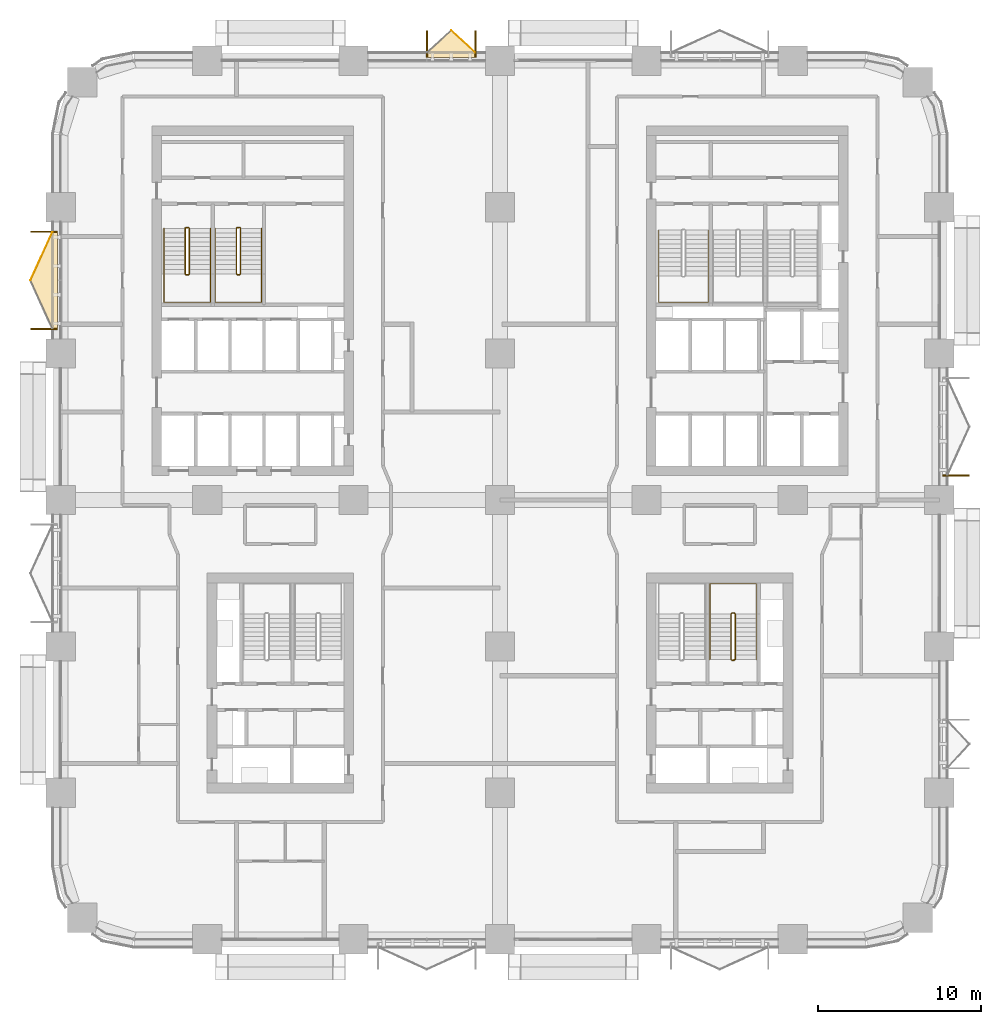
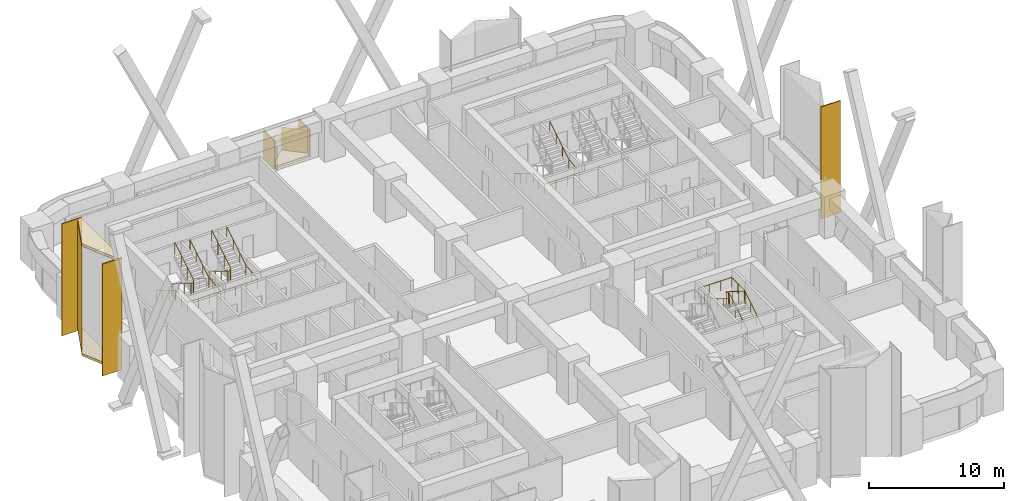
# One storey, part 25 of 26: 11 coverings, 7 railings.
"""IFC4 building model written with IfcOpenShell, lengths in metres."""

from ifc_helpers import new_model, si_unit, direction, frame, origin, origin_2d, place, context, subcontext, project, spatial, polyline, rectangle, circle, outline, extrude, material, layer, layer_set, type_object, element, save


model = new_model("IFC4")

# Units and contexts
model_context = context("Model", 3, precision=1e-05, world=origin(), true_north=direction((0.0, 1.0)))
body_context = subcontext(model_context, "Body", "Model", "MODEL_VIEW")
ifc_project = project(units=[si_unit("LENGTHUNIT", "METRE"), si_unit("AREAUNIT", "SQUARE_METRE"), si_unit("VOLUMEUNIT", "CUBIC_METRE"), si_unit("PLANEANGLEUNIT", "RADIAN"), si_unit("MASSUNIT", "GRAM", prefix="KILO")], contexts=[model_context])

# Site, building, storey
site_placement = place(None, origin())
site = spatial("IfcSite", under=ifc_project, at=site_placement, CompositionType="ELEMENT")
building_placement = place(site_placement, origin())
building = spatial("IfcBuilding", under=site, at=building_placement, Name="Tessera Arch", CompositionType="ELEMENT")
storey_placement = place(building_placement, frame((0.0, 0.0, 31.0)))
storey = spatial("IfcBuildingStorey", under=building, at=storey_placement, Name="L05", CompositionType="ELEMENT", Elevation=31.0)

# Railings
ifc_material_1 = material(Name="Painted steel balustrade", Category="steel")
railing_type_1 = type_object("IfcRailingType", Name="Stair guard 1100", PredefinedType="GUARDRAIL", material=ifc_material_1)
railing_1_placement = place(storey_placement, frame((7.699951171875, 43.75, 0.0)))
element("IfcRailing", 1, at=railing_1_placement, inside=storey, type_object=railing_type_1, Name="L05 S2a stair guard 1", PredefinedType="GUARDRAIL", context=body_context, shape_type="SweptSolid", body=[
    extrude(circle(Radius=0.02392578125, at=origin_2d()), frame((-0.00390625, 0.0, 1.076171875), z_axis=(1.0, 0.0, 0.0), x_axis=(0.0, 1.0, 0.0)), (0.0, 0.0, 1.0), 0.158203125),
    extrude(circle(Radius=0.02392578125, at=origin_2d()), frame((0.153076171875, 0.000732421875, 1.073486328125), z_axis=(-0.744141464035, -0.186035366009, 0.641595140332), x_axis=(0.242535625036, -0.970142500145, 0.0)), (0.0, 0.0, 1.0), 0.277099609375),
    extrude(circle(Radius=0.02392578125, at=origin_2d()), frame((-0.050048828125, -0.046630859375, 1.24658203125), z_axis=(0.0, -0.851089632645, 0.525020415988), x_axis=(1.0, 0.0, 0.0)), (0.0, 0.0, 1.0), 3.2978515625),
    extrude(circle(Radius=0.02392578125, at=origin_2d()), frame((-0.052978515625, -2.84716796875, 2.97607421875), z_axis=(0.708833529934, -0.705375805398, 0.0), x_axis=(0.705375805398, 0.708833529934, 0.0)), (0.0, 0.0, 1.0), 0.07861328125),
    extrude(circle(Radius=0.02392578125, at=origin_2d()), frame((-0.00390625, -2.89990234375, 2.97607421875), z_axis=(1.0, 0.0, 0.0), x_axis=(0.0, 1.0, 0.0)), (0.0, 0.0, 1.0), 0.158203125),
    extrude(circle(Radius=0.02392578125, at=origin_2d()), frame((0.149169921875, -2.90087890625, 2.97216796875), z_axis=(0.266832911964, 0.266832911964, 0.926067165051), x_axis=(-0.707106781187, 0.707106781187, 0.0)), (0.0, 0.0, 1.0), 0.194580078125),
    extrude(circle(Radius=0.02392578125, at=origin_2d()), frame((0.199951171875, -2.853515625, 3.146728515625), z_axis=(0.0, 0.851089632645, 0.525020415988), x_axis=(-1.0, 0.0, 0.0)), (0.0, 0.0, 1.0), 3.2978515625),
    extrude(circle(Radius=0.02099609375, at=origin_2d()), origin(), (0.0, 0.0, 1.0), 1.06396484375),
    extrude(circle(Radius=0.02099609375, at=origin_2d()), frame((0.150146484375, 0.0, 0.0)), (0.0, 0.0, 1.0), 1.06396484375),
    extrude(circle(Radius=0.02099609375, at=origin_2d()), frame((-0.050048828125, -0.050048828125, 0.172607421875)), (0.0, 0.0, 1.0), 1.06396484375),
    extrude(circle(Radius=0.02099609375, at=origin_2d()), frame((-0.050048828125, -0.9833984375, 0.748291015625)), (0.0, 0.0, 1.0), 1.06396484375),
    extrude(circle(Radius=0.02099609375, at=origin_2d()), frame((-0.050048828125, -1.916748046875, 1.32421875)), (0.0, 0.0, 1.0), 1.06396484375),
    extrude(circle(Radius=0.02099609375, at=origin_2d()), frame((-0.050048828125, -2.85009765625, 1.89990234375)), (0.0, 0.0, 1.0), 1.06396484375),
    extrude(circle(Radius=0.02099609375, at=origin_2d()), frame((0.0, -2.89990234375, 1.89990234375)), (0.0, 0.0, 1.0), 1.06396484375),
    extrude(circle(Radius=0.02099609375, at=origin_2d()), frame((0.150146484375, -2.89990234375, 1.89990234375)), (0.0, 0.0, 1.0), 1.06396484375),
    extrude(circle(Radius=0.02099609375, at=origin_2d()), frame((0.199951171875, -2.85009765625, 2.07275390625)), (0.0, 0.0, 1.0), 1.06396484375),
    extrude(circle(Radius=0.02099609375, at=origin_2d()), frame((0.199951171875, -1.916748046875, 2.6484375)), (0.0, 0.0, 1.0), 1.06396484375),
    extrude(circle(Radius=0.02099609375, at=origin_2d()), frame((0.199951171875, -0.9833984375, 3.224365234375)), (0.0, 0.0, 1.0), 1.06396484375),
    extrude(circle(Radius=0.02099609375, at=origin_2d()), frame((0.199951171875, -0.050048828125, 3.800048828125)), (0.0, 0.0, 1.0), 1.06396484375),
])
railing_2_placement = place(storey_placement, frame((10.85009765625, 43.75, 0.0)))
element("IfcRailing", 2, at=railing_2_placement, inside=storey, type_object=railing_type_1, Name="L05 S2b stair guard 1", PredefinedType="GUARDRAIL", context=body_context, shape_type="SweptSolid", body=[
    extrude(circle(Radius=0.02392578125, at=origin_2d()), frame((-0.00390625, 0.0, 1.076171875), z_axis=(1.0, 0.0, 0.0), x_axis=(0.0, 1.0, 0.0)), (0.0, 0.0, 1.0), 0.157958984375),
    extrude(circle(Radius=0.02392578125, at=origin_2d()), frame((0.15283203125, 0.000732421875, 1.073486328125), z_axis=(-0.743736083135, -0.18616104645, 0.642028584587), x_axis=(0.242814311512, -0.970072785993, 0.0)), (0.0, 0.0, 1.0), 0.27685546875),
    extrude(circle(Radius=0.02392578125, at=origin_2d()), frame((-0.050048828125, -0.046630859375, 1.24658203125), z_axis=(0.0, -0.851089632645, 0.525020415988), x_axis=(1.0, 0.0, 0.0)), (0.0, 0.0, 1.0), 3.2978515625),
    extrude(circle(Radius=0.02392578125, at=origin_2d()), frame((-0.052978515625, -2.84716796875, 2.97607421875), z_axis=(0.708833529934, -0.705375805398, 0.0), x_axis=(0.705375805398, 0.708833529934, 0.0)), (0.0, 0.0, 1.0), 0.07861328125),
    extrude(circle(Radius=0.02392578125, at=origin_2d()), frame((-0.00390625, -2.89990234375, 2.97607421875), z_axis=(1.0, 0.0, 0.0), x_axis=(0.0, 1.0, 0.0)), (0.0, 0.0, 1.0), 0.157958984375),
    extrude(circle(Radius=0.02392578125, at=origin_2d()), frame((0.14892578125, -2.90087890625, 2.97216796875), z_axis=(0.268047150085, 0.266739603011, 0.925743328097), x_axis=(-0.705375805398, 0.708833529934, 0.0)), (0.0, 0.0, 1.0), 0.19482421875),
    extrude(circle(Radius=0.02392578125, at=origin_2d()), frame((0.199951171875, -2.853515625, 3.146728515625), z_axis=(0.0, 0.851089632645, 0.525020415988), x_axis=(-1.0, 0.0, 0.0)), (0.0, 0.0, 1.0), 3.2978515625),
    extrude(circle(Radius=0.02099609375, at=origin_2d()), origin(), (0.0, 0.0, 1.0), 1.06396484375),
    extrude(circle(Radius=0.02099609375, at=origin_2d()), frame((0.14990234375, 0.0, 0.0)), (0.0, 0.0, 1.0), 1.06396484375),
    extrude(circle(Radius=0.02099609375, at=origin_2d()), frame((-0.050048828125, -0.050048828125, 0.172607421875)), (0.0, 0.0, 1.0), 1.06396484375),
    extrude(circle(Radius=0.02099609375, at=origin_2d()), frame((-0.050048828125, -0.9833984375, 0.748291015625)), (0.0, 0.0, 1.0), 1.06396484375),
    extrude(circle(Radius=0.02099609375, at=origin_2d()), frame((-0.050048828125, -1.916748046875, 1.32421875)), (0.0, 0.0, 1.0), 1.06396484375),
    extrude(circle(Radius=0.02099609375, at=origin_2d()), frame((-0.050048828125, -2.85009765625, 1.89990234375)), (0.0, 0.0, 1.0), 1.06396484375),
    extrude(circle(Radius=0.02099609375, at=origin_2d()), frame((0.0, -2.89990234375, 1.89990234375)), (0.0, 0.0, 1.0), 1.06396484375),
    extrude(circle(Radius=0.02099609375, at=origin_2d()), frame((0.14990234375, -2.89990234375, 1.89990234375)), (0.0, 0.0, 1.0), 1.06396484375),
    extrude(circle(Radius=0.02099609375, at=origin_2d()), frame((0.199951171875, -2.85009765625, 2.07275390625)), (0.0, 0.0, 1.0), 1.06396484375),
    extrude(circle(Radius=0.02099609375, at=origin_2d()), frame((0.199951171875, -1.916748046875, 2.6484375)), (0.0, 0.0, 1.0), 1.06396484375),
    extrude(circle(Radius=0.02099609375, at=origin_2d()), frame((0.199951171875, -0.9833984375, 3.224365234375)), (0.0, 0.0, 1.0), 1.06396484375),
    extrude(circle(Radius=0.02099609375, at=origin_2d()), frame((0.199951171875, -0.050048828125, 3.800048828125)), (0.0, 0.0, 1.0), 1.06396484375),
])
railing_3_placement = place(storey_placement, frame((41.39990234375, 17.14990234375, 0.0)))
element("IfcRailing", 3, at=railing_3_placement, inside=storey, type_object=railing_type_1, Name="L05 S3b stair guard 1", PredefinedType="GUARDRAIL", context=body_context, shape_type="SweptSolid", body=[
    extrude(circle(Radius=0.02392578125, at=origin_2d()), frame((0.00390625, 0.0, 1.076171875), z_axis=(-1.0, 0.0, 0.0), x_axis=(0.0, -1.0, 0.0)), (0.0, 0.0, 1.0), 0.157958984375),
    extrude(circle(Radius=0.02392578125, at=origin_2d()), frame((-0.15283203125, -0.000732421875, 1.073486328125), z_axis=(0.743736083135, 0.18616104645, 0.642028584587), x_axis=(-0.242814311512, 0.970072785993, 0.0)), (0.0, 0.0, 1.0), 0.27685546875),
    extrude(circle(Radius=0.02392578125, at=origin_2d()), frame((0.050048828125, 0.046630859375, 1.24658203125), z_axis=(0.0, 0.851089632645, 0.525020415988), x_axis=(-1.0, 0.0, 0.0)), (0.0, 0.0, 1.0), 3.2978515625),
    extrude(circle(Radius=0.02392578125, at=origin_2d()), frame((0.052978515625, 2.84716796875, 2.97607421875), z_axis=(-0.707106781187, 0.707106781187, 0.0), x_axis=(-0.707106781187, -0.707106781187, 0.0)), (0.0, 0.0, 1.0), 0.078857421875),
    extrude(circle(Radius=0.02392578125, at=origin_2d()), frame((0.00390625, 2.900146484375, 2.97607421875), z_axis=(-1.0, 0.0, 0.0), x_axis=(0.0, -1.0, 0.0)), (0.0, 0.0, 1.0), 0.157958984375),
    extrude(circle(Radius=0.02392578125, at=origin_2d()), frame((-0.14892578125, 2.901123046875, 2.97216796875), z_axis=(-0.267953482034, -0.267953482034, 0.925419830635), x_axis=(0.707106781187, -0.707106781187, 0.0)), (0.0, 0.0, 1.0), 0.19482421875),
    extrude(circle(Radius=0.02392578125, at=origin_2d()), frame((-0.199951171875, 2.853515625, 3.146728515625), z_axis=(0.0, -0.851089632645, 0.525020415988), x_axis=(1.0, 0.0, 0.0)), (0.0, 0.0, 1.0), 3.2978515625),
    extrude(circle(Radius=0.02099609375, at=origin_2d()), origin(), (0.0, 0.0, 1.0), 1.06396484375),
    extrude(circle(Radius=0.02099609375, at=origin_2d()), frame((-0.14990234375, 0.0, 0.0)), (0.0, 0.0, 1.0), 1.06396484375),
    extrude(circle(Radius=0.02099609375, at=origin_2d()), frame((0.050048828125, 0.050048828125, 0.172607421875)), (0.0, 0.0, 1.0), 1.06396484375),
    extrude(circle(Radius=0.02099609375, at=origin_2d()), frame((0.050048828125, 0.9833984375, 0.748291015625)), (0.0, 0.0, 1.0), 1.06396484375),
    extrude(circle(Radius=0.02099609375, at=origin_2d()), frame((0.050048828125, 1.916748046875, 1.32421875)), (0.0, 0.0, 1.0), 1.06396484375),
    extrude(circle(Radius=0.02099609375, at=origin_2d()), frame((0.050048828125, 2.85009765625, 1.89990234375)), (0.0, 0.0, 1.0), 1.06396484375),
    extrude(circle(Radius=0.02099609375, at=origin_2d()), frame((0.0, 2.900146484375, 1.89990234375)), (0.0, 0.0, 1.0), 1.06396484375),
    extrude(circle(Radius=0.02099609375, at=origin_2d()), frame((-0.14990234375, 2.900146484375, 1.89990234375)), (0.0, 0.0, 1.0), 1.06396484375),
    extrude(circle(Radius=0.02099609375, at=origin_2d()), frame((-0.199951171875, 2.85009765625, 2.07275390625)), (0.0, 0.0, 1.0), 1.06396484375),
    extrude(circle(Radius=0.02099609375, at=origin_2d()), frame((-0.199951171875, 1.916748046875, 2.6484375)), (0.0, 0.0, 1.0), 1.06396484375),
    extrude(circle(Radius=0.02099609375, at=origin_2d()), frame((-0.199951171875, 0.9833984375, 3.224365234375)), (0.0, 0.0, 1.0), 1.06396484375),
    extrude(circle(Radius=0.02099609375, at=origin_2d()), frame((-0.199951171875, 0.050048828125, 3.800048828125)), (0.0, 0.0, 1.0), 1.06396484375),
])
ifc_material_2 = material(Name="Painted steel handrail", Category="steel")
railing_type_2 = type_object("IfcRailingType", Name="Stair handrail 900", PredefinedType="HANDRAIL", material=ifc_material_2)
railing_4_placement = place(storey_placement, frame((36.75, 43.580078125, 0.172607421875)))
element("IfcRailing", 4, at=railing_4_placement, inside=storey, type_object=railing_type_2, Name="L05 S1a stair handrail", PredefinedType="HANDRAIL", context=body_context, shape_type="SweptSolid", body=[
    extrude(circle(Radius=0.02392578125, at=origin_2d()), frame((0.0, 0.00341796875, 0.873779296875), z_axis=(0.0, -0.851089632645, 0.525020415988), x_axis=(1.0, 0.0, 0.0)), (0.0, 0.0, 1.0), 3.2978515625),
    extrude(circle(Radius=0.02392578125, at=origin_2d()), frame((0.0, -2.796142578125, 2.60302734375), z_axis=(0.0, -1.0, 0.0), x_axis=(1.0, 0.0, 0.0)), (0.0, 0.0, 1.0), 1.63818359375),
    extrude(circle(Radius=0.02392578125, at=origin_2d()), frame((-0.00390625, -4.43017578125, 2.60302734375), z_axis=(1.0, 0.0, 0.0), x_axis=(0.0, 1.0, 0.0)), (0.0, 0.0, 1.0), 3.05810546875),
    extrude(circle(Radius=0.02392578125, at=origin_2d()), frame((3.050048828125, -4.43408203125, 2.602783203125), z_axis=(0.0, 0.994425187763, 0.105444515941), x_axis=(-1.0, 0.0, 0.0)), (0.0, 0.0, 1.0), 1.647216796875),
    extrude(circle(Radius=0.02392578125, at=origin_2d()), frame((3.050048828125, -2.803466796875, 2.77392578125), z_axis=(0.0, 0.851089632645, 0.525020415988), x_axis=(-1.0, 0.0, 0.0)), (0.0, 0.0, 1.0), 3.2978515625),
    extrude(circle(Radius=0.02099609375, at=origin_2d()), origin(), (0.0, 0.0, 1.0), 0.86376953125),
    extrude(circle(Radius=0.02099609375, at=origin_2d()), frame((0.0, -0.933349609375, 0.57568359375)), (0.0, 0.0, 1.0), 0.86376953125),
    extrude(circle(Radius=0.02099609375, at=origin_2d()), frame((0.0, -1.86669921875, 1.151611328125)), (0.0, 0.0, 1.0), 0.86376953125),
    extrude(circle(Radius=0.02099609375, at=origin_2d()), frame((0.0, -2.800048828125, 1.727294921875)), (0.0, 0.0, 1.0), 0.86376953125),
    extrude(circle(Radius=0.02099609375, at=origin_2d()), frame((0.0, -3.615234375, 1.727294921875)), (0.0, 0.0, 1.0), 0.86376953125),
    extrude(circle(Radius=0.02099609375, at=origin_2d()), frame((0.0, -4.43017578125, 1.727294921875)), (0.0, 0.0, 1.0), 0.86376953125),
    extrude(circle(Radius=0.02099609375, at=origin_2d()), frame((1.0166015625, -4.43017578125, 1.727294921875)), (0.0, 0.0, 1.0), 0.86376953125),
    extrude(circle(Radius=0.02099609375, at=origin_2d()), frame((2.033447265625, -4.43017578125, 1.727294921875)), (0.0, 0.0, 1.0), 0.86376953125),
    extrude(circle(Radius=0.02099609375, at=origin_2d()), frame((3.050048828125, -4.43017578125, 1.727294921875)), (0.0, 0.0, 1.0), 0.86376953125),
    extrude(circle(Radius=0.02099609375, at=origin_2d()), frame((3.050048828125, -3.615234375, 1.813720703125)), (0.0, 0.0, 1.0), 0.86376953125),
    extrude(circle(Radius=0.02099609375, at=origin_2d()), frame((3.050048828125, -2.800048828125, 1.900146484375)), (0.0, 0.0, 1.0), 0.86376953125),
    extrude(circle(Radius=0.02099609375, at=origin_2d()), frame((3.050048828125, -1.86669921875, 2.475830078125)), (0.0, 0.0, 1.0), 0.86376953125),
    extrude(circle(Radius=0.02099609375, at=origin_2d()), frame((3.050048828125, -0.933349609375, 3.0517578125)), (0.0, 0.0, 1.0), 0.86376953125),
    extrude(circle(Radius=0.02099609375, at=origin_2d()), frame((3.050048828125, 0.0, 3.62744140625)), (0.0, 0.0, 1.0), 0.86376953125),
])
railing_5_placement = place(storey_placement, frame((6.35009765625, 43.699951171875, 0.172607421875)))
element("IfcRailing", 5, at=railing_5_placement, inside=storey, type_object=railing_type_2, Name="L05 S2a stair handrail", PredefinedType="HANDRAIL", context=body_context, shape_type="SweptSolid", body=[
    extrude(circle(Radius=0.02392578125, at=origin_2d()), frame((0.0, 0.00341796875, 0.873779296875), z_axis=(0.0, -0.851089632645, 0.525020415988), x_axis=(1.0, 0.0, 0.0)), (0.0, 0.0, 1.0), 3.2978515625),
    extrude(circle(Radius=0.02392578125, at=origin_2d()), frame((0.0, -2.796142578125, 2.60302734375), z_axis=(0.0, -1.0, 0.0), x_axis=(1.0, 0.0, 0.0)), (0.0, 0.0, 1.0), 1.758056640625),
    extrude(circle(Radius=0.02392578125, at=origin_2d()), frame((-0.00390625, -4.550048828125, 2.60302734375), z_axis=(1.0, 0.0, 0.0), x_axis=(0.0, 1.0, 0.0)), (0.0, 0.0, 1.0), 2.85791015625),
    extrude(circle(Radius=0.02392578125, at=origin_2d()), frame((2.849853515625, -4.553955078125, 2.602783203125), z_axis=(0.0, 0.995157418657, 0.098294008428), x_axis=(-1.0, 0.0, 0.0)), (0.0, 0.0, 1.0), 1.7666015625),
    extrude(circle(Radius=0.02392578125, at=origin_2d()), frame((2.849853515625, -2.803466796875, 2.77392578125), z_axis=(0.0, 0.851089632645, 0.525020415988), x_axis=(-1.0, 0.0, 0.0)), (0.0, 0.0, 1.0), 3.2978515625),
    extrude(circle(Radius=0.02099609375, at=origin_2d()), origin(), (0.0, 0.0, 1.0), 0.86376953125),
    extrude(circle(Radius=0.02099609375, at=origin_2d()), frame((0.0, -0.933349609375, 0.57568359375)), (0.0, 0.0, 1.0), 0.86376953125),
    extrude(circle(Radius=0.02099609375, at=origin_2d()), frame((0.0, -1.86669921875, 1.151611328125)), (0.0, 0.0, 1.0), 0.86376953125),
    extrude(circle(Radius=0.02099609375, at=origin_2d()), frame((0.0, -2.800048828125, 1.727294921875)), (0.0, 0.0, 1.0), 0.86376953125),
    extrude(circle(Radius=0.02099609375, at=origin_2d()), frame((0.0, -3.675048828125, 1.727294921875)), (0.0, 0.0, 1.0), 0.86376953125),
    extrude(circle(Radius=0.02099609375, at=origin_2d()), frame((0.0, -4.550048828125, 1.727294921875)), (0.0, 0.0, 1.0), 0.86376953125),
    extrude(circle(Radius=0.02099609375, at=origin_2d()), frame((0.949951171875, -4.550048828125, 1.727294921875)), (0.0, 0.0, 1.0), 0.86376953125),
    extrude(circle(Radius=0.02099609375, at=origin_2d()), frame((1.89990234375, -4.550048828125, 1.727294921875)), (0.0, 0.0, 1.0), 0.86376953125),
    extrude(circle(Radius=0.02099609375, at=origin_2d()), frame((2.849853515625, -4.550048828125, 1.727294921875)), (0.0, 0.0, 1.0), 0.86376953125),
    extrude(circle(Radius=0.02099609375, at=origin_2d()), frame((2.849853515625, -3.675048828125, 1.813720703125)), (0.0, 0.0, 1.0), 0.86376953125),
    extrude(circle(Radius=0.02099609375, at=origin_2d()), frame((2.849853515625, -2.800048828125, 1.900146484375)), (0.0, 0.0, 1.0), 0.86376953125),
    extrude(circle(Radius=0.02099609375, at=origin_2d()), frame((2.849853515625, -1.86669921875, 2.475830078125)), (0.0, 0.0, 1.0), 0.86376953125),
    extrude(circle(Radius=0.02099609375, at=origin_2d()), frame((2.849853515625, -0.933349609375, 3.0517578125)), (0.0, 0.0, 1.0), 0.86376953125),
    extrude(circle(Radius=0.02099609375, at=origin_2d()), frame((2.849853515625, 0.0, 3.62744140625)), (0.0, 0.0, 1.0), 0.86376953125),
])
railing_6_placement = place(storey_placement, frame((9.5, 43.699951171875, 0.172607421875)))
element("IfcRailing", 6, at=railing_6_placement, inside=storey, type_object=railing_type_2, Name="L05 S2b stair handrail", PredefinedType="HANDRAIL", context=body_context, shape_type="SweptSolid", body=[
    extrude(circle(Radius=0.02392578125, at=origin_2d()), frame((0.0, 0.00341796875, 0.873779296875), z_axis=(0.0, -0.851089632645, 0.525020415988), x_axis=(1.0, 0.0, 0.0)), (0.0, 0.0, 1.0), 3.2978515625),
    extrude(circle(Radius=0.02392578125, at=origin_2d()), frame((0.0, -2.796142578125, 2.60302734375), z_axis=(0.0, -1.0, 0.0), x_axis=(1.0, 0.0, 0.0)), (0.0, 0.0, 1.0), 1.758056640625),
    extrude(circle(Radius=0.02392578125, at=origin_2d()), frame((-0.00390625, -4.550048828125, 2.60302734375), z_axis=(1.0, 0.0, 0.0), x_axis=(0.0, 1.0, 0.0)), (0.0, 0.0, 1.0), 2.858154296875),
    extrude(circle(Radius=0.02392578125, at=origin_2d()), frame((2.85009765625, -4.553955078125, 2.602783203125), z_axis=(0.0, 0.995157418657, 0.098294008428), x_axis=(-1.0, 0.0, 0.0)), (0.0, 0.0, 1.0), 1.7666015625),
    extrude(circle(Radius=0.02392578125, at=origin_2d()), frame((2.85009765625, -2.803466796875, 2.77392578125), z_axis=(0.0, 0.851089632645, 0.525020415988), x_axis=(-1.0, 0.0, 0.0)), (0.0, 0.0, 1.0), 3.2978515625),
    extrude(circle(Radius=0.02099609375, at=origin_2d()), origin(), (0.0, 0.0, 1.0), 0.86376953125),
    extrude(circle(Radius=0.02099609375, at=origin_2d()), frame((0.0, -0.933349609375, 0.57568359375)), (0.0, 0.0, 1.0), 0.86376953125),
    extrude(circle(Radius=0.02099609375, at=origin_2d()), frame((0.0, -1.86669921875, 1.151611328125)), (0.0, 0.0, 1.0), 0.86376953125),
    extrude(circle(Radius=0.02099609375, at=origin_2d()), frame((0.0, -2.800048828125, 1.727294921875)), (0.0, 0.0, 1.0), 0.86376953125),
    extrude(circle(Radius=0.02099609375, at=origin_2d()), frame((0.0, -3.675048828125, 1.727294921875)), (0.0, 0.0, 1.0), 0.86376953125),
    extrude(circle(Radius=0.02099609375, at=origin_2d()), frame((0.0, -4.550048828125, 1.727294921875)), (0.0, 0.0, 1.0), 0.86376953125),
    extrude(circle(Radius=0.02099609375, at=origin_2d()), frame((0.949951171875, -4.550048828125, 1.727294921875)), (0.0, 0.0, 1.0), 0.86376953125),
    extrude(circle(Radius=0.02099609375, at=origin_2d()), frame((1.900146484375, -4.550048828125, 1.727294921875)), (0.0, 0.0, 1.0), 0.86376953125),
    extrude(circle(Radius=0.02099609375, at=origin_2d()), frame((2.85009765625, -4.550048828125, 1.727294921875)), (0.0, 0.0, 1.0), 0.86376953125),
    extrude(circle(Radius=0.02099609375, at=origin_2d()), frame((2.85009765625, -3.675048828125, 1.813720703125)), (0.0, 0.0, 1.0), 0.86376953125),
    extrude(circle(Radius=0.02099609375, at=origin_2d()), frame((2.85009765625, -2.800048828125, 1.900146484375)), (0.0, 0.0, 1.0), 0.86376953125),
    extrude(circle(Radius=0.02099609375, at=origin_2d()), frame((2.85009765625, -1.86669921875, 2.475830078125)), (0.0, 0.0, 1.0), 0.86376953125),
    extrude(circle(Radius=0.02099609375, at=origin_2d()), frame((2.85009765625, -0.933349609375, 3.0517578125)), (0.0, 0.0, 1.0), 0.86376953125),
    extrude(circle(Radius=0.02099609375, at=origin_2d()), frame((2.85009765625, 0.0, 3.62744140625)), (0.0, 0.0, 1.0), 0.86376953125),
])
railing_7_placement = place(storey_placement, frame((42.75, 17.199951171875, 0.172607421875)))
element("IfcRailing", 7, at=railing_7_placement, inside=storey, type_object=railing_type_2, Name="L05 S3b stair handrail", PredefinedType="HANDRAIL", context=body_context, shape_type="SweptSolid", body=[
    extrude(circle(Radius=0.02392578125, at=origin_2d()), frame((0.0, -0.00341796875, 0.873779296875), z_axis=(0.0, 0.851089632645, 0.525020415988), x_axis=(-1.0, 0.0, 0.0)), (0.0, 0.0, 1.0), 3.2978515625),
    extrude(circle(Radius=0.02392578125, at=origin_2d()), frame((0.0, 2.796142578125, 2.60302734375), z_axis=(0.0, 1.0, 0.0), x_axis=(-1.0, 0.0, 0.0)), (0.0, 0.0, 1.0), 1.858154296875),
    extrude(circle(Radius=0.02392578125, at=origin_2d()), frame((0.00390625, 4.650146484375, 2.60302734375), z_axis=(-1.0, 0.0, 0.0), x_axis=(0.0, -1.0, 0.0)), (0.0, 0.0, 1.0), 2.858154296875),
    extrude(circle(Radius=0.02392578125, at=origin_2d()), frame((-2.85009765625, 4.654052734375, 2.602783203125), z_axis=(0.0, -0.99566393824, 0.093023234135), x_axis=(1.0, 0.0, 0.0)), (0.0, 0.0, 1.0), 1.8662109375),
    extrude(circle(Radius=0.02392578125, at=origin_2d()), frame((-2.85009765625, 2.803466796875, 2.77392578125), z_axis=(0.0, -0.851089632645, 0.525020415988), x_axis=(1.0, 0.0, 0.0)), (0.0, 0.0, 1.0), 3.2978515625),
    extrude(circle(Radius=0.02099609375, at=origin_2d()), origin(), (0.0, 0.0, 1.0), 0.86376953125),
    extrude(circle(Radius=0.02099609375, at=origin_2d()), frame((0.0, 0.933349609375, 0.57568359375)), (0.0, 0.0, 1.0), 0.86376953125),
    extrude(circle(Radius=0.02099609375, at=origin_2d()), frame((0.0, 1.86669921875, 1.151611328125)), (0.0, 0.0, 1.0), 0.86376953125),
    extrude(circle(Radius=0.02099609375, at=origin_2d()), frame((0.0, 2.800048828125, 1.727294921875)), (0.0, 0.0, 1.0), 0.86376953125),
    extrude(circle(Radius=0.02099609375, at=origin_2d()), frame((0.0, 3.72509765625, 1.727294921875)), (0.0, 0.0, 1.0), 0.86376953125),
    extrude(circle(Radius=0.02099609375, at=origin_2d()), frame((0.0, 4.650146484375, 1.727294921875)), (0.0, 0.0, 1.0), 0.86376953125),
    extrude(circle(Radius=0.02099609375, at=origin_2d()), frame((-0.949951171875, 4.650146484375, 1.727294921875)), (0.0, 0.0, 1.0), 0.86376953125),
    extrude(circle(Radius=0.02099609375, at=origin_2d()), frame((-1.900146484375, 4.650146484375, 1.727294921875)), (0.0, 0.0, 1.0), 0.86376953125),
    extrude(circle(Radius=0.02099609375, at=origin_2d()), frame((-2.85009765625, 4.650146484375, 1.727294921875)), (0.0, 0.0, 1.0), 0.86376953125),
    extrude(circle(Radius=0.02099609375, at=origin_2d()), frame((-2.85009765625, 3.72509765625, 1.813720703125)), (0.0, 0.0, 1.0), 0.86376953125),
    extrude(circle(Radius=0.02099609375, at=origin_2d()), frame((-2.85009765625, 2.800048828125, 1.900146484375)), (0.0, 0.0, 1.0), 0.86376953125),
    extrude(circle(Radius=0.02099609375, at=origin_2d()), frame((-2.85009765625, 1.86669921875, 2.475830078125)), (0.0, 0.0, 1.0), 0.86376953125),
    extrude(circle(Radius=0.02099609375, at=origin_2d()), frame((-2.85009765625, 0.933349609375, 3.0517578125)), (0.0, 0.0, 1.0), 0.86376953125),
    extrude(circle(Radius=0.02099609375, at=origin_2d()), frame((-2.85009765625, 0.0, 3.62744140625)), (0.0, 0.0, 1.0), 0.86376953125),
])

# Coverings
ifc_material_3 = material(Name="Anodised aluminium pale metal", Category="aluminium")
ifc_layer_1 = layer(ifc_material_3, 0.080078125)
ifc_layer_set_1 = layer_set([ifc_layer_1], Name="Window box cheek")
covering_type_1 = type_object("IfcCoveringType", Name="Window box cheek", PredefinedType="CLADDING", material=ifc_layer_set_1)
covering_1_placement = place(storey_placement, origin())
element("IfcCovering", 8, at=covering_1_placement, inside=storey, type_object=covering_type_1, Name="Window box E54.0/3.0 2x3 cheek", PredefinedType="CLADDING", context=body_context, shape_type="SweptSolid", body=[
    extrude(outline(polyline([(55.85009765625, 28.469970703125), (55.85009765625, 28.550048828125), (54.199951171875, 28.550048828125), (54.199951171875, 28.469970703125), (55.85009765625, 28.469970703125)])), origin(), (0.0, 0.0, 1.0), 10.10009765625),
])
covering_2_placement = place(storey_placement, origin())
element("IfcCovering", 9, at=covering_2_placement, inside=storey, type_object=covering_type_1, Name="Window box N54.0/3.0 1x1 cheek", PredefinedType="CLADDING", context=body_context, shape_type="SweptSolid", body=[
    extrude(outline(polyline([(25.530029296875, 55.85009765625), (25.449951171875, 55.85009765625), (25.449951171875, 54.199951171875), (25.530029296875, 54.199951171875), (25.530029296875, 55.85009765625)])), origin(), (0.0, 0.0, 1.0), 2.5),
])
covering_3_placement = place(storey_placement, origin())
element("IfcCovering", 10, at=covering_3_placement, inside=storey, type_object=covering_type_1, Name="Window box N54.0/3.0 1x1 cheek", PredefinedType="CLADDING", context=body_context, shape_type="SweptSolid", body=[
    extrude(outline(polyline([(22.550048828125, 55.85009765625), (22.469970703125, 55.85009765625), (22.469970703125, 54.199951171875), (22.550048828125, 54.199951171875), (22.550048828125, 55.85009765625)])), origin(), (0.0, 0.0, 1.0), 2.5),
])
covering_4_placement = place(storey_placement, origin())
element("IfcCovering", 11, at=covering_4_placement, inside=storey, type_object=covering_type_1, Name="Window box W0.0/1.0 2x3 cheek", PredefinedType="CLADDING", context=body_context, shape_type="SweptSolid", body=[
    extrude(outline(polyline([(-1.85009765625, 43.530029296875), (-1.85009765625, 43.449951171875), (-0.199951171875, 43.449951171875), (-0.199951171875, 43.530029296875), (-1.85009765625, 43.530029296875)])), origin(), (0.0, 0.0, 1.0), 10.10009765625),
])
covering_5_placement = place(storey_placement, origin())
element("IfcCovering", 12, at=covering_5_placement, inside=storey, type_object=covering_type_1, Name="Window box W0.0/1.0 2x3 cheek", PredefinedType="CLADDING", context=body_context, shape_type="SweptSolid", body=[
    extrude(outline(polyline([(-1.85009765625, 37.550048828125), (-1.85009765625, 37.469970703125), (-0.199951171875, 37.469970703125), (-0.199951171875, 37.550048828125), (-1.85009765625, 37.550048828125)])), origin(), (0.0, 0.0, 1.0), 10.10009765625),
])
ifc_material_4 = material(Name="Anodised aluminium gold", Category="aluminium")
ifc_layer_2 = layer(ifc_material_4, 0.219970703125)
ifc_layer_set_2 = layer_set([ifc_layer_2], Name="Window box frame plate gold")
covering_type_2 = type_object("IfcCoveringType", Name="Window box frame plate gold", PredefinedType="CLADDING", material=ifc_layer_set_2)
covering_6_placement = place(storey_placement, origin())
element("IfcCovering", 13, at=covering_6_placement, inside=storey, type_object=covering_type_2, Name="Window box W0.0/1.0 2x3 floor", PredefinedType="CLADDING", context=body_context, shape_type="SweptSolid", body=[
    extrude(outline(polyline([(-0.510009765625, 43.449951171875), (-1.85009765625, 40.5), (-0.510009765625, 37.550048828125), (-0.199951171875, 37.550048828125), (-0.199951171875, 43.449951171875), (-0.510009765625, 43.449951171875)])), origin(), (0.0, 0.0, 1.0), 0.219970703125),
])
covering_7_placement = place(storey_placement, frame((0.0, 0.0, 9.8798828125)))
element("IfcCovering", 14, at=covering_7_placement, inside=storey, type_object=covering_type_2, Name="Window box W0.0/1.0 2x3 roof", PredefinedType="CLADDING", context=body_context, shape_type="SweptSolid", body=[
    extrude(outline(polyline([(-0.510009765625, 43.449951171875), (-1.85009765625, 40.5), (-0.510009765625, 37.550048828125), (-0.199951171875, 37.550048828125), (-0.199951171875, 43.449951171875), (-0.510009765625, 43.449951171875)])), origin(), (0.0, 0.0, 1.0), 0.22021484375),
])
ifc_material_5 = material(Name="Anodised aluminium pale metal", Category="aluminium")
ifc_layer_3 = layer(ifc_material_5, 0.219970703125)
ifc_layer_set_3 = layer_set([ifc_layer_3], Name="Window box frame plate pale metal")
covering_type_3 = type_object("IfcCoveringType", Name="Window box frame plate pale metal", PredefinedType="CLADDING", material=ifc_layer_set_3)
for number, where, name in (
    (15, (0.0, 0.0, 0.0), "Window box N54.0/3.0 1x1 floor"),
    (16, (0.0, 0.0, 2.280029296875), "Window box N54.0/3.0 1x1 roof"),
):
    element("IfcCovering", number, at=place(storey_placement, frame(where)), inside=storey, type_object=covering_type_3, Name=name, PredefinedType="CLADDING", context=body_context, shape_type="SweptSolid", body=[
        extrude(outline(polyline([(25.449951171875, 54.510009765625), (24.0, 55.85009765625), (22.550048828125, 54.510009765625), (22.550048828125, 54.199951171875), (25.449951171875, 54.199951171875), (25.449951171875, 54.510009765625)])), origin(), (0.0, 0.0, 1.0), 0.219970703125),
    ])
ifc_material_6 = material(Name="Anodised aluminium pale metal", Category="aluminium")
ifc_layer_4 = layer(ifc_material_6, 0.028076171875)
ifc_layer_set_4 = layer_set([ifc_layer_4], Name="Window box side panel")
covering_type_4 = type_object("IfcCoveringType", Name="Window box side panel", PredefinedType="CLADDING", material=ifc_layer_set_4)
covering_8_placement = place(storey_placement, frame((24.72509765625, 55.179931640625, 0.219970703125), z_axis=(0.0, 0.0, 1.0), x_axis=(-0.734414958885, 0.678700720617, 0.0)))
element("IfcCovering", 17, at=covering_8_placement, inside=storey, type_object=covering_type_4, Name="Window box N54.0/3.0 1x1 side panel", PredefinedType="CLADDING", context=body_context, shape_type="SweptSolid", body=[
    extrude(rectangle(XDim=1.974365234375, YDim=0.028076171875, at=origin_2d()), origin(), (0.0, 0.0, 1.0), 2.06005859375),
])
covering_9_placement = place(storey_placement, frame((-1.179931640625, 41.97509765625, 0.22021484375), z_axis=(0.0, 0.0, 1.0), x_axis=(-0.413570397858, -0.910472144558, 0.0)))
element("IfcCovering", 18, at=covering_9_placement, inside=storey, type_object=covering_type_4, Name="Window box W0.0/1.0 2x3 side panel", PredefinedType="CLADDING", context=body_context, shape_type="SweptSolid", body=[
    extrude(rectangle(XDim=3.239990234375, YDim=0.028076171875, at=origin_2d()), origin(), (0.0, 0.0, 1.0), 9.659912109375),
])

save(model, "model.ifc")
